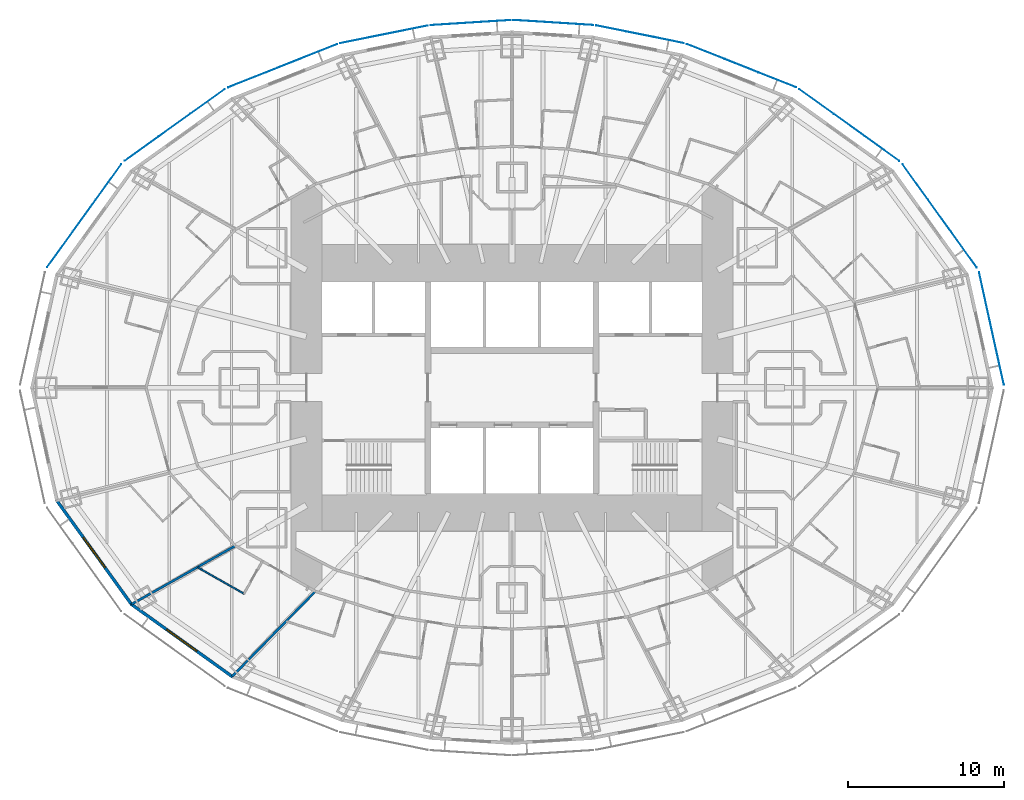
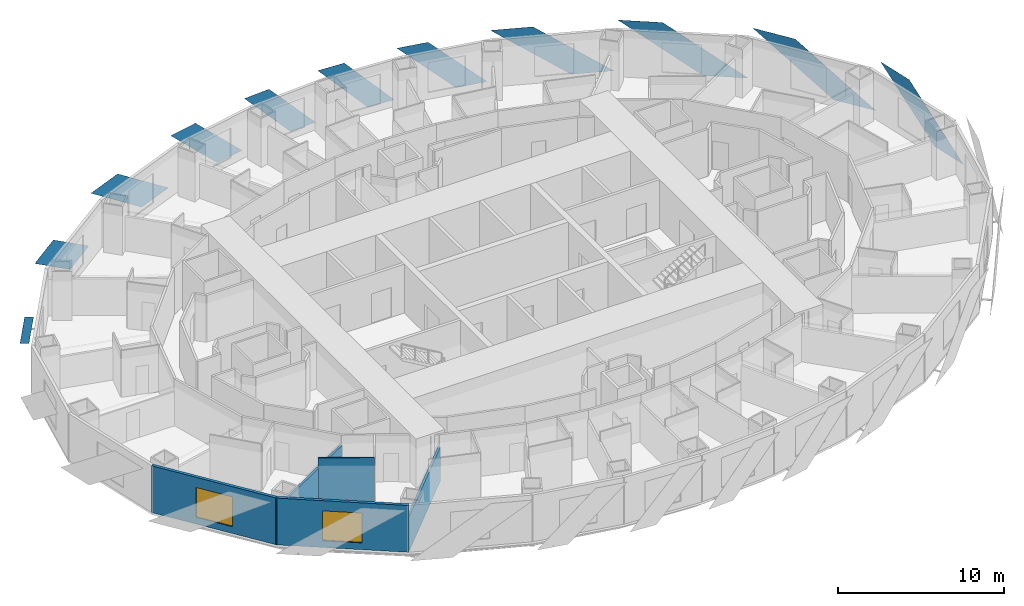
# One storey, part 4 of 17: 11 plates, 5 walls, 2 windows, 2 openings.
"""IFC4 building model written with IfcOpenShell, lengths in metres."""

from ifc_helpers import new_model, si_unit, direction, frame, frame_2d, origin, place, context, subcontext, project, spatial, polyline, rectangle, outline, extrude, material, layer, layer_set, type_object, element, fill, save


model = new_model("IFC4")

# Units and contexts
model_context = context("Model", 3, precision=1e-05, world=origin(), true_north=direction((0.0, 1.0)))
body_context = subcontext(model_context, "Body", "Model", "MODEL_VIEW")
ifc_project = project(units=[si_unit("LENGTHUNIT", "METRE"), si_unit("AREAUNIT", "SQUARE_METRE"), si_unit("VOLUMEUNIT", "CUBIC_METRE"), si_unit("PLANEANGLEUNIT", "RADIAN"), si_unit("MASSUNIT", "GRAM", prefix="KILO")], contexts=[model_context])

# Site, building, storey
site_placement = place(None, origin())
site = spatial("IfcSite", under=ifc_project, at=site_placement, CompositionType="ELEMENT")
building_placement = place(site_placement, origin())
building = spatial("IfcBuilding", under=site, at=building_placement, Name="Lantaw Convention Tower", CompositionType="ELEMENT")
storey_placement = place(building_placement, frame((0.0, 0.0, 37.0)))
storey = spatial("IfcBuildingStorey", under=building, at=storey_placement, Name="L06", CompositionType="ELEMENT", Elevation=37.0)

# Plates
ifc_material_1 = material(Name="Perforated aluminium sheet, pale silver finish", Category="aluminium")
ifc_layer_1 = layer(ifc_material_1, 0.006103515625)
ifc_layer_set_1 = layer_set([ifc_layer_1], Name="Perforated aluminium solar SCREEN panel")
plate_type = type_object("IfcPlateType", Name="Perforated aluminium solar SCREEN panel", PredefinedType="SHEET", material=ifc_layer_set_1)
plate_1_placement = place(storey_placement, frame((31.5810546875, 0.17919921875, -0.175048828125), z_axis=(-0.97655943558, -0.215247921852, 3.0295023e-05), x_axis=(-0.215247921951, 0.976559436028, 3.12e-10)))
element("IfcPlate", 1, at=plate_1_placement, inside=storey, type_object=plate_type, Name="Solar SCREEN panel", PredefinedType="SHEET", context=body_context, shape_type="SweptSolid", body=[
    extrude(outline(polyline([(0.0, 0.0), (2.551002212329069, 3.3881317890172014e-21), (7.402498252985418, -3.739990233781388), (4.851734458487411, -3.7399902353733405), (0.0, 0.0)])), origin(), (0.0, 0.0, -1.0), 0.006103515625),
])
plate_2_placement = place(storey_placement, frame((29.847900390625, 7.720947265625, -0.175048828125), z_axis=(0.811791382613, 0.583947558463, 9.019268e-06), x_axis=(-0.583947558486, 0.811791382646, 0.0)))
element("IfcPlate", 2, at=plate_2_placement, inside=storey, type_object=plate_type, Name="Solar SCREEN panel", PredefinedType="SHEET", context=body_context, shape_type="SweptSolid", body=[
    extrude(outline(polyline([(0.0, 0.0), (2.809541672291133, 0.0), (8.163093158837512, 3.739990234527119), (5.353551486546379, 3.739990234527119), (0.0, 0.0)])), origin(), (0.0, 0.0, -1.0), 0.006103515625),
])
plate_3_placement = place(storey_placement, frame((24.872314453125, 14.555908203125, -0.175048828125), z_axis=(0.582561421998, 0.812786681331, 1.5819417e-05), x_axis=(-0.812786681433, 0.582561422071, 0.0)))
element("IfcPlate", 3, at=plate_3_placement, inside=storey, type_object=plate_type, Name="Solar SCREEN panel", PredefinedType="SHEET", context=body_context, shape_type="SweptSolid", body=[
    extrude(outline(polyline([(0.0, 0.0), (2.721095180812288, 3.3881317890172014e-21), (7.903118572410756, 3.739990234842974), (5.182023391598468, 3.739990234842974), (0.0, 0.0)])), origin(), (0.0, 0.0, -1.0), 0.006103515625),
])
plate_4_placement = place(storey_placement, frame((18.232177734375, 19.278076171875, -0.175048828125), z_axis=(-0.369183532846, -0.929356508016, 9.163296e-06), x_axis=(-0.929356508055, 0.369183532862, 0.0)))
element("IfcPlate", 4, at=plate_4_placement, inside=storey, type_object=plate_type, Name="Solar SCREEN panel", PredefinedType="SHEET", context=body_context, shape_type="SweptSolid", body=[
    extrude(outline(polyline([(0.0, 0.0), (2.594936467166582, -1.6940658945086007e-21), (7.5321069917580825, -3.739990234532016), (4.937170524591499, -3.739990234532016), (0.0, 0.0)])), origin(), (0.0, 0.0, -1.0), 0.006103515625),
])
plate_5_placement = place(storey_placement, frame((11.03271484375, 22.117919921875, -0.175048828125), z_axis=(-0.197781876197, -0.980246055561, 2.418535e-06), x_axis=(-0.980246055563, 0.197781876198, 1.46e-10)))
element("IfcPlate", 5, at=plate_5_placement, inside=storey, type_object=plate_type, Name="Solar SCREEN panel", PredefinedType="SHEET", context=body_context, shape_type="SweptSolid", body=[
    extrude(outline(polyline([(0.0, 0.0), (1.9867801772236329, -3.1763735522036263e-22), (5.743587245978565, -3.7399902335493134), (3.7568553553458006, -3.739990234128105), (0.0, 0.0)])), origin(), (0.0, 0.0, -1.0), 0.006103515625),
])
plate_6_placement = place(storey_placement, frame((5.221923828125, 23.27783203125, -0.175048828125), z_axis=(-0.062923905251, -0.998018327468, 1.3605496e-05), x_axis=(-0.998018327561, 0.062923905257, 9.3e-10)))
element("IfcPlate", 6, at=plate_6_placement, inside=storey, type_object=plate_type, Name="Solar SCREEN panel", PredefinedType="SHEET", context=body_context, shape_type="SweptSolid", body=[
    extrude(outline(polyline([(0.0, 0.0), (1.7828375409377817, -2.117582368135751e-22), (5.143985963027618, -3.739990229938699), (3.3611637843713935, -3.7399902332537565), (0.0, 0.0)])), origin(), (0.0, 0.0, -1.0), 0.006103515625),
])
plate_7_placement = place(storey_placement, frame((-0.088134765625, 23.6015625, -0.175048828125), z_axis=(-0.062923905251, 0.998018327468, 1.3605496e-05), x_axis=(-0.998018327561, -0.062923905257, -9.3e-10)))
element("IfcPlate", 7, at=plate_7_placement, inside=storey, type_object=plate_type, Name="Solar SCREEN panel", PredefinedType="SHEET", context=body_context, shape_type="SweptSolid", body=[
    extrude(outline(polyline([(0.0, 0.0), (1.782822178656225, -2.117582368135751e-22), (5.143985956073316, 3.7399902395036517), (3.3611484151355353, 3.7399902361885653), (0.0, 0.0)])), origin(), (0.0, 0.0, -1.0), 0.006103515625),
])
plate_8_placement = place(storey_placement, frame((-5.402587890625, 23.25390625, -0.175048828125), z_axis=(-0.197781876197, 0.980246055561, 2.418535e-06), x_axis=(-0.980246055563, -0.197781876198, -1.46e-10)))
element("IfcPlate", 8, at=plate_8_placement, inside=storey, type_object=plate_type, Name="Solar SCREEN panel", PredefinedType="SHEET", context=body_context, shape_type="SweptSolid", body=[
    extrude(outline(polyline([(0.0, 0.0), (1.9867318906327642, 1.0587911840678754e-22), (5.743587244888999, 3.7399902352225842), (3.7568070676653664, 3.7399902346437783), (0.0, 0.0)])), origin(), (0.0, 0.0, -1.0), 0.006103515625),
])
plate_9_placement = place(storey_placement, frame((-11.232177734375, 22.058837890625, -0.175048828125), z_axis=(-0.369183532846, 0.929356508016, 9.163296e-06), x_axis=(-0.929356508055, -0.369183532862, 0.0)))
element("IfcPlate", 9, at=plate_9_placement, inside=storey, type_object=plate_type, Name="Solar SCREEN panel", PredefinedType="SHEET", context=body_context, shape_type="SweptSolid", body=[
    extrude(outline(polyline([(0.0, 0.0), (2.594936467166582, 1.6940658945086007e-21), (7.5321069917580825, 3.739990234532016), (4.937170524591499, 3.739990234532016), (0.0, 0.0)])), origin(), (0.0, 0.0, -1.0), 0.006103515625),
])
plate_10_placement = place(storey_placement, frame((-18.44873046875, 19.159912109375, -0.175048828125), z_axis=(0.582561421998, -0.812786681331, 1.5819417e-05), x_axis=(-0.812786681433, -0.582561422071, 0.0)))
element("IfcPlate", 10, at=plate_10_placement, inside=storey, type_object=plate_type, Name="Solar SCREEN panel", PredefinedType="SHEET", context=body_context, shape_type="SweptSolid", body=[
    extrude(outline(polyline([(0.0, 0.0), (2.721095180812288, -3.3881317890172014e-21), (7.903118572410756, -3.739990234842974), (5.182023391598468, -3.739990234842974), (0.0, 0.0)])), origin(), (0.0, 0.0, -1.0), 0.006103515625),
])
plate_11_placement = place(storey_placement, frame((-25.0810546875, 14.34765625, -0.175048828125), z_axis=(0.811791382613, -0.583947558463, 9.019268e-06), x_axis=(-0.583947558486, -0.811791382646, 0.0)))
element("IfcPlate", 11, at=plate_11_placement, inside=storey, type_object=plate_type, Name="Solar SCREEN panel", PredefinedType="SHEET", context=body_context, shape_type="SweptSolid", body=[
    extrude(outline(polyline([(0.0, 0.0), (2.809541672291133, 0.0), (8.163093158837512, -3.739990234527119), (5.353551486546379, -3.739990234527119), (0.0, 0.0)])), origin(), (0.0, 0.0, -1.0), 0.006103515625),
])

# Wall
ifc_material_2 = material(Name="Moisture resistant gypsum board on steel studs", Category="steel")
ifc_layer_2 = layer(ifc_material_2, 0.10009765625)
ifc_layer_set_2 = layer_set([ifc_layer_2], Name="Bathroom wall 100")
wall_type_1 = type_object("IfcWallType", Name="Bathroom wall 100", PredefinedType="PARTITIONING", material=ifc_layer_set_2)
wall_1_placement = place(storey_placement, frame((-17.21044921875, -13.224609375, 0.0), z_axis=(0.0, 0.0, 1.0), x_axis=(-0.869041592831, 0.494739032147, 0.0)))
element("IfcWall", 12, at=wall_1_placement, inside=storey, type_object=wall_type_1, Name="Bathroom wall 100", PredefinedType="PARTITIONING", context=body_context, shape_type="SweptSolid", body=[
    extrude(rectangle(XDim=3.419677734375, YDim=0.10009765625, at=frame_2d((1.7099609375, 0.0))), origin(), (0.0, 0.0, 1.0), 3.449951171875),
])

# Wall, opening, window
ifc_material_3 = material(Name="Insulated aluminium panel on steel frame", Category="steel")
ifc_layer_3 = layer(ifc_material_3, 0.199951171875)
ifc_layer_set_3 = layer_set([ifc_layer_3], Name="External wall 200")
wall_type_2 = type_object("IfcWallType", Name="External wall 200", PredefinedType="SOLIDWALL", material=ifc_layer_set_3)
wall_2_placement = place(storey_placement, frame((-29.260498046875, -7.199951171875, 0.0), z_axis=(0.0, 0.0, 1.0), x_axis=(0.583937613703, -0.811798536155, 0.0)))
wall_2 = element("IfcWall", 13, at=wall_2_placement, inside=storey, type_object=wall_type_2, Name="Facade panel wall", PredefinedType="SOLIDWALL", context=body_context, shape_type="SweptSolid", body=[
    extrude(rectangle(XDim=8.322998046875, YDim=0.199951171875, at=frame_2d((4.16162109375, 0.0))), origin(), (0.0, 0.0, 1.0), 3.449951171875),
])
opening_1_placement = place(wall_2_placement, frame((2.96142578125, 0.0, 0.5)))
opening_1 = element("IfcOpeningElement", 14, at=opening_1_placement, cuts=wall_2, Name="Opening W1", PredefinedType="OPENING", context=body_context, shape_type="SweptSolid", body=[
    extrude(rectangle(XDim=2.39990234375, YDim=2.199951171875, at=frame_2d((1.199951171875, 1.10009765625))), frame((0.0, 0.10986328125, 0.0), z_axis=(0.0, -1.0, 0.0), x_axis=(1.0, 0.0, 0.0)), (0.0, 0.0, 1.0), 0.219970703125),
])
ifc_material_4 = material(Name="Aluminium frame, clear insulating glass", Category="aluminium")
window_type = type_object("IfcWindowType", Name="Guest room window 2400x2200", PartitioningType="SINGLE_PANEL", PredefinedType="WINDOW", material=ifc_material_4)
window_1_placement = place(opening_1_placement, origin())
window_1 = element("IfcWindow", 15, at=window_1_placement, inside=storey, type_object=window_type, Name="Guest room window", OverallHeight=2.199951171875, OverallWidth=2.39990234375, PartitioningType="SINGLE_PANEL", PredefinedType="WINDOW", context=body_context, shape_type="SweptSolid", body=[
    extrude(rectangle(XDim=2.39990234375, YDim=2.199951171875, at=frame_2d((1.199951171875, 1.10009765625))), frame((0.0, 0.030029296875, 0.0), z_axis=(0.0, -1.0, 0.0), x_axis=(1.0, 0.0, 0.0)), (0.0, 0.0, 1.0), 0.06005859375),
])
fill(opening_1, window_1)

wall_3_placement = place(storey_placement, frame((-24.482421875, -13.87451171875, 0.0), z_axis=(0.0, 0.0, 1.0), x_axis=(0.812791321576, -0.582554948112, 0.0)))
wall_3 = element("IfcWall", 16, at=wall_3_placement, inside=storey, type_object=wall_type_2, Name="Facade panel wall", PredefinedType="SOLIDWALL", context=body_context, shape_type="SweptSolid", body=[
    extrude(rectangle(XDim=8.063232421875, YDim=0.199951171875, at=frame_2d((4.03173828125, 0.0))), origin(), (0.0, 0.0, 1.0), 3.449951171875),
])
opening_2_placement = place(wall_3_placement, frame((2.83154296875, 0.0, 0.5)))
opening_2 = element("IfcOpeningElement", 17, at=opening_2_placement, cuts=wall_3, Name="Opening W1", PredefinedType="OPENING", context=body_context, shape_type="SweptSolid", body=[
    extrude(rectangle(XDim=2.39990234375, YDim=2.199951171875, at=frame_2d((1.199951171875, 1.10009765625))), frame((0.0, 0.10986328125, 0.0), z_axis=(0.0, -1.0, 0.0), x_axis=(1.0, 0.0, 0.0)), (0.0, 0.0, 1.0), 0.219970703125),
])
window_2_placement = place(opening_2_placement, origin())
window_2 = element("IfcWindow", 18, at=window_2_placement, inside=storey, type_object=window_type, Name="Guest room window", OverallHeight=2.199951171875, OverallWidth=2.39990234375, PartitioningType="SINGLE_PANEL", PredefinedType="WINDOW", context=body_context, shape_type="SweptSolid", body=[
    extrude(rectangle(XDim=2.39990234375, YDim=2.199951171875, at=frame_2d((1.199951171875, 1.10009765625))), frame((0.0, 0.030029296875, 0.0), z_axis=(0.0, -1.0, 0.0), x_axis=(1.0, 0.0, 0.0)), (0.0, 0.0, 1.0), 0.06005859375),
])
fill(opening_2, window_2)

# Walls
ifc_material_5 = material(Name="Gypsum board on steel studs, acoustic", Category="steel")
ifc_layer_4 = layer(ifc_material_5, 0.14990234375)
ifc_layer_set_4 = layer_set([ifc_layer_4], Name="Guest room party wall 150")
wall_type_3 = type_object("IfcWallType", Name="Guest room party wall 150", PredefinedType="PARTITIONING", material=ifc_layer_set_4)
wall_4_placement = place(storey_placement, frame((-24.434814453125, -13.90869140625, 0.0), z_axis=(0.0, 0.0, 1.0), x_axis=(0.871267209855, 0.490808974074, 0.0)))
element("IfcWall", 19, at=wall_4_placement, inside=storey, type_object=wall_type_3, Name="Guest room party wall 150", PredefinedType="PARTITIONING", context=body_context, shape_type="SweptSolid", body=[
    extrude(rectangle(XDim=7.659423828125, YDim=0.14990234375, at=frame_2d((3.82958984375, 0.0))), origin(), (0.0, 0.0, 1.0), 2.693115234375),
])
wall_5_placement = place(storey_placement, frame((-17.970458984375, -18.541748046875, 0.0), z_axis=(0.0, 0.0, 1.0), x_axis=(0.699032031211, 0.715090357467, 0.0)))
element("IfcWall", 20, at=wall_5_placement, inside=storey, type_object=wall_type_3, Name="Guest room party wall 150", PredefinedType="PARTITIONING", context=body_context, shape_type="SweptSolid", body=[
    extrude(rectangle(XDim=7.647216796875, YDim=0.14990234375, at=frame_2d((3.82373046875, 0.0))), origin(), (0.0, 0.0, 1.0), 2.528076171875),
])

save(model, "model.ifc")
